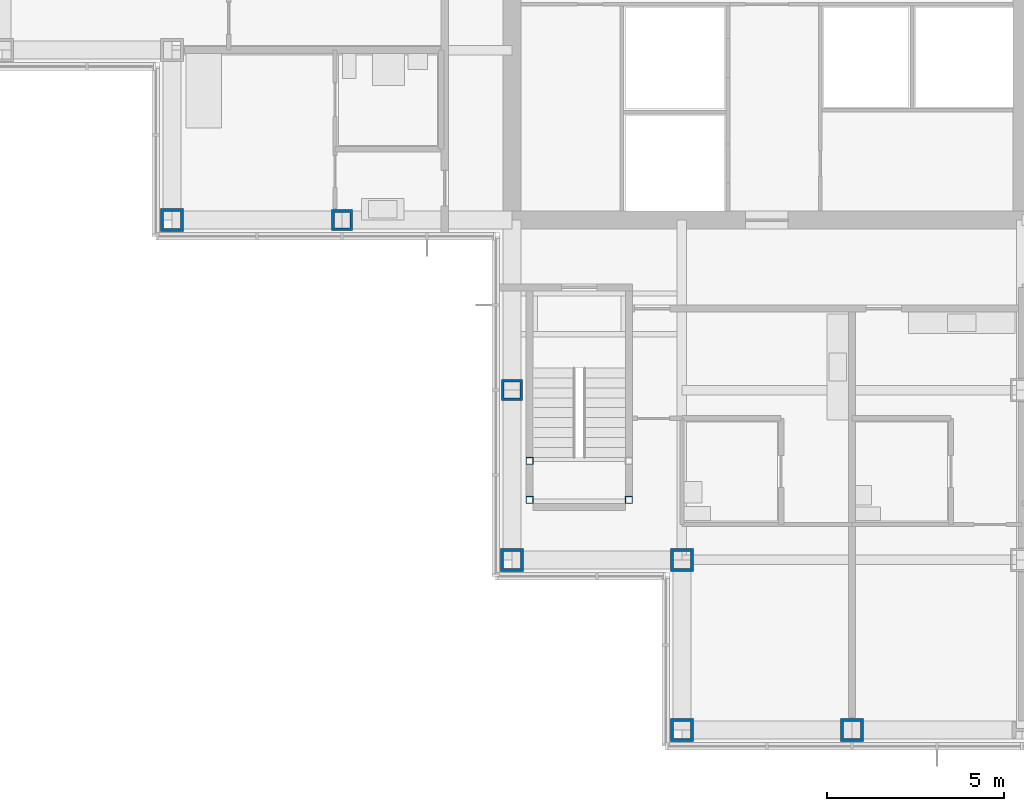
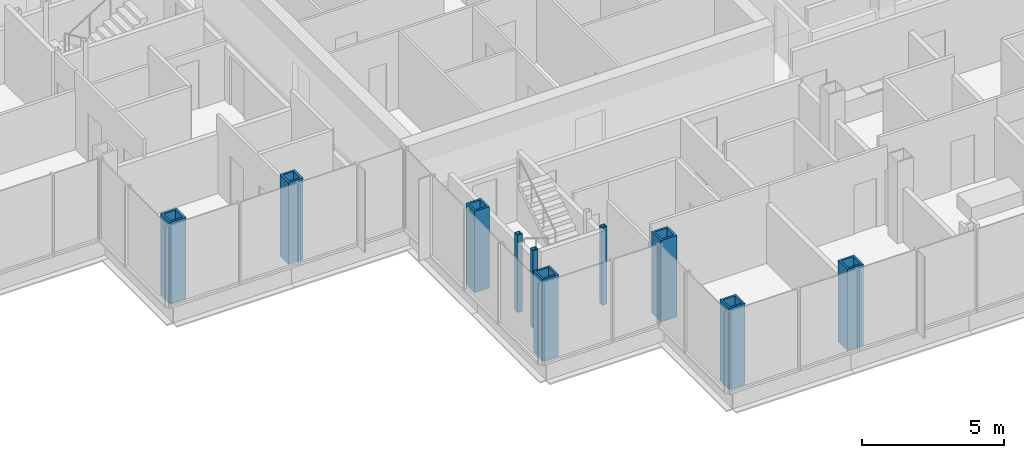
# One storey, part 1 of 20: 10 columns.
"""IFC4 building model written with IfcOpenShell, lengths in metres."""

from ifc_helpers import new_model, si_unit, direction, frame, origin, origin_2d, place, context, subcontext, project, spatial, hollow_rectangle, extrude, material, material_profile, profile_set, type_object, element, save


model = new_model("IFC4")

# Units and contexts
model_context = context("Model", 3, precision=1e-05, world=origin(), true_north=direction((0.0, 1.0)))
body_context = subcontext(model_context, "Body", "Model", "MODEL_VIEW")
ifc_project = project(units=[si_unit("LENGTHUNIT", "METRE"), si_unit("AREAUNIT", "SQUARE_METRE"), si_unit("VOLUMEUNIT", "CUBIC_METRE"), si_unit("PLANEANGLEUNIT", "RADIAN"), si_unit("MASSUNIT", "GRAM", prefix="KILO")], contexts=[model_context])

# Site, building, storey
site_placement = place(None, origin())
site = spatial("IfcSite", under=ifc_project, at=site_placement, CompositionType="ELEMENT")
building_placement = place(site_placement, origin())
building = spatial("IfcBuilding", under=site, at=building_placement, Name="Kvirike Care Tower", CompositionType="ELEMENT")
storey_placement = place(building_placement, frame((0.0, 0.0, 105.0)))
storey = spatial("IfcBuildingStorey", under=building, at=storey_placement, Name="L28", CompositionType="ELEMENT", Elevation=105.0)

# Columns
ifc_material_1 = material(Name="Steel S460", Category="steel")
ifc_material_profile_1 = material_profile(ifc_material_1, hollow_rectangle(XDim=0.60009765625, YDim=0.60009765625, WallThickness=0.080078125, at=origin_2d()), Name="BX 600x600x80")
ifc_profile_set_1 = profile_set([ifc_material_profile_1], Name="Steel S460")
column_type_1 = type_object("IfcColumnType", Name="COLUMN BX 600x600x80", PredefinedType="COLUMN", material=ifc_profile_set_1)
for number, where, z_axis, x_axis, name in (
    (1, (9.60009765625, 28.800048828125, 0.0), (0.0, 0.0, 1.0), (0.0, 1.0, 0.0), "Column G5 L28"),
    (2, (14.39990234375, 24.0, 0.0), (0.0, 0.0, 1.0), (1.0, 0.0, 0.0), "Column F6 L28"),
):
    element("IfcColumn", number, at=place(storey_placement, frame(where, z_axis=z_axis, x_axis=x_axis)), inside=storey, type_object=column_type_1, Name=name, PredefinedType="COLUMN", context=body_context, shape_type="SweptSolid", body=[
        extrude(hollow_rectangle(XDim=0.60009765625, YDim=0.60009765625, WallThickness=0.080078125, at=origin_2d()), origin(), (0.0, 0.0, 1.0), 3.5),
    ])
ifc_material_2 = material(Name="Steel S460", Category="steel")
ifc_material_profile_2 = material_profile(ifc_material_2, hollow_rectangle(XDim=0.64990234375, YDim=0.64990234375, WallThickness=0.080078125, at=origin_2d()), Name="BX 650x650x80")
ifc_profile_set_2 = profile_set([ifc_material_profile_2], Name="Steel S460")
column_type_2 = type_object("IfcColumnType", Name="COLUMN BX 650x650x80", PredefinedType="COLUMN", material=ifc_profile_set_2)
for number, where, z_axis, x_axis, name in (
    (3, (4.800048828125, 28.800048828125, 0.0), (0.0, 0.0, 1.0), (0.0, 1.0, 0.0), "Column G4 L28"),
    (4, (14.39990234375, 19.199951171875, 0.0), (0.0, 0.0, 1.0), (0.0, 1.0, 0.0), "Column E6 L28"),
    (5, (19.199951171875, 14.39990234375, 0.0), (0.0, 0.0, 1.0), (0.0, 1.0, 0.0), "Column D7 L28"),
    (6, (19.199951171875, 19.199951171875, 0.0), (0.0, 0.0, 1.0), (0.0, 1.0, 0.0), "Column E7 L28"),
    (7, (24.0, 14.39990234375, 0.0), (0.0, 0.0, 1.0), (0.0, 1.0, 0.0), "Column D8 L28"),
):
    element("IfcColumn", number, at=place(storey_placement, frame(where, z_axis=z_axis, x_axis=x_axis)), inside=storey, type_object=column_type_2, Name=name, PredefinedType="COLUMN", context=body_context, shape_type="SweptSolid", body=[
        extrude(hollow_rectangle(XDim=0.64990234375, YDim=0.64990234375, WallThickness=0.080078125, at=origin_2d()), origin(), (0.0, 0.0, 1.0), 3.5),
    ])
ifc_material_3 = material(Name="Steel S460", Category="steel")
ifc_material_profile_3 = material_profile(ifc_material_3, hollow_rectangle(XDim=0.199951171875, YDim=0.199951171875, WallThickness=0.008056640625, at=origin_2d()), Name="SHS 200x200x8")
ifc_profile_set_3 = profile_set([ifc_material_profile_3], Name="Steel S460")
column_type_3 = type_object("IfcColumnType", Name="STAIR POST SHS 200x200x8", PredefinedType="COLUMN", material=ifc_profile_set_3)
for number, where, z_axis, x_axis, name in (
    (8, (14.89990234375, 20.89990234375, 0.0), (0.0, 0.0, 1.0), (1.0, 0.0, 0.0), "Stair 5 post 1 L28"),
    (9, (17.699951171875, 20.89990234375, 0.0), (0.0, 0.0, 1.0), (1.0, 0.0, 0.0), "Stair 5 post 2 L28"),
    (10, (14.89990234375, 22.0, 0.0), (0.0, 0.0, 1.0), (1.0, 0.0, 0.0), "Stair 5 post 3 L28"),
):
    element("IfcColumn", number, at=place(storey_placement, frame(where, z_axis=z_axis, x_axis=x_axis)), inside=storey, type_object=column_type_3, Name=name, PredefinedType="COLUMN", context=body_context, shape_type="SweptSolid", body=[
        extrude(hollow_rectangle(XDim=0.199951171875, YDim=0.199951171875, WallThickness=0.008056640625, at=origin_2d()), origin(), (0.0, 0.0, 1.0), 3.330078125),
    ])

save(model, "model.ifc")
